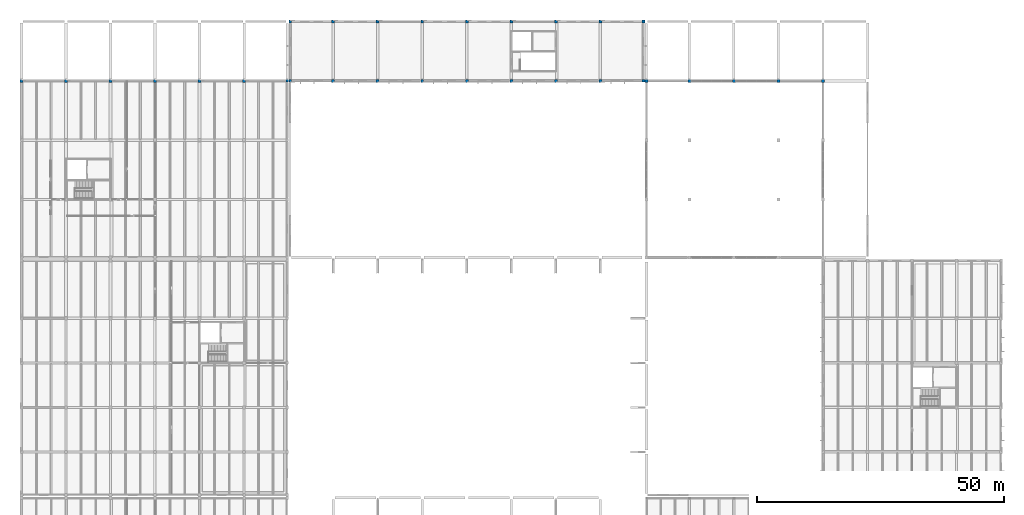
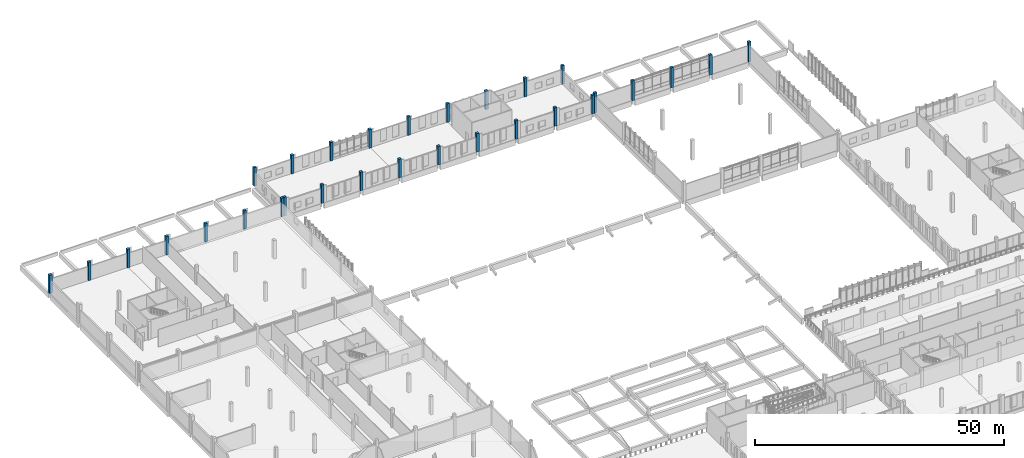
# One storey, part 5 of 63: 30 columns.
"""IFC4 building model written with IfcOpenShell, lengths in metres."""

from ifc_helpers import new_model, si_unit, direction, frame, origin, origin_2d, place, context, subcontext, project, spatial, rectangle, extrude, material, material_profile, profile_set, type_object, element, save


model = new_model("IFC4")

# Units and contexts
model_context = context("Model", 3, precision=1e-05, world=origin(), true_north=direction((0.0, 1.0)))
body_context = subcontext(model_context, "Body", "Model", "MODEL_VIEW")
ifc_project = project(units=[si_unit("LENGTHUNIT", "METRE"), si_unit("AREAUNIT", "SQUARE_METRE"), si_unit("VOLUMEUNIT", "CUBIC_METRE"), si_unit("PLANEANGLEUNIT", "RADIAN"), si_unit("MASSUNIT", "GRAM", prefix="KILO")], contexts=[model_context])

# Site, building, storey
site_placement = place(None, origin())
site = spatial("IfcSite", under=ifc_project, at=site_placement, CompositionType="ELEMENT")
building_placement = place(site_placement, origin())
building = spatial("IfcBuilding", under=site, at=building_placement, Name="Zacnel Wholesale Market", CompositionType="ELEMENT")
storey_placement = place(building_placement, frame((0.0, 0.0, 11.199951171875)))
storey = spatial("IfcBuildingStorey", under=building, at=storey_placement, Name="L03", CompositionType="ELEMENT", Elevation=11.199951171875)

# Columns
ifc_material_1 = material(Name="Precast concrete C45/55", Category="concrete")
ifc_material_profile_1 = material_profile(ifc_material_1, rectangle(XDim=0.550048828125, YDim=0.550048828125, at=origin_2d()), Name="PC 550x550")
ifc_profile_set_1 = profile_set([ifc_material_profile_1], Name="Precast concrete C45/55")
column_type_1 = type_object("IfcColumnType", Name="COL-PC550", PredefinedType="COLUMN", material=ifc_profile_set_1)
for number, where, z_axis, x_axis, name in (
    (1, (71.699951171875, 132.0, 0.0), (0.0, 0.0, 1.0), (1.0, 0.0, 0.0), "Precast column L03-0743"),
    (2, (72.300048828125, 132.0, 0.0), (0.0, 0.0, 1.0), (1.0, 0.0, 0.0), "Precast column L03-0744"),
    (3, (72.300048828125, 144.0, 0.0), (0.0, 0.0, 1.0), (1.0, 0.0, 0.0), "Precast column L03-0745"),
    (4, (143.699951171875, 132.0, 0.0), (0.0, 0.0, 1.0), (1.0, 0.0, 0.0), "Precast column L03-0760"),
    (5, (143.699951171875, 144.0, 0.0), (0.0, 0.0, 1.0), (1.0, 0.0, 0.0), "Precast column L03-0761"),
):
    element("IfcColumn", number, at=place(storey_placement, frame(where, z_axis=z_axis, x_axis=x_axis)), inside=storey, type_object=column_type_1, Name=name, PredefinedType="COLUMN", context=body_context, shape_type="SweptSolid", body=[
        extrude(rectangle(XDim=0.550048828125, YDim=0.550048828125, at=origin_2d()), origin(), (0.0, 0.0, 1.0), 4.550048828125),
    ])
ifc_material_2 = material(Name="Precast concrete C45/55", Category="concrete")
ifc_material_profile_2 = material_profile(ifc_material_2, rectangle(XDim=0.60009765625, YDim=0.60009765625, at=origin_2d()), Name="PC 600x600")
ifc_profile_set_2 = profile_set([ifc_material_profile_2], Name="Precast concrete C45/55")
column_type_2 = type_object("IfcColumnType", Name="COL-PC600", PredefinedType="COLUMN", material=ifc_profile_set_2)
for number, where, z_axis, x_axis, name in (
    (6, (18.0, 132.0, 0.0), (0.0, 0.0, 1.0), (1.0, 0.0, 0.0), "Precast column L03-0659"),
    (7, (27.0, 132.0, 0.0), (0.0, 0.0, 1.0), (1.0, 0.0, 0.0), "Precast column L03-0673"),
    (8, (36.0, 132.0, 0.0), (0.0, 0.0, 1.0), (1.0, 0.0, 0.0), "Precast column L03-0687"),
    (9, (45.0, 132.0, 0.0), (0.0, 0.0, 1.0), (1.0, 0.0, 0.0), "Precast column L03-0701"),
    (10, (54.0, 132.0, 0.0), (0.0, 0.0, 1.0), (1.0, 0.0, 0.0), "Precast column L03-0715"),
    (11, (63.0, 132.0, 0.0), (0.0, 0.0, 1.0), (1.0, 0.0, 0.0), "Precast column L03-0729"),
    (12, (81.0, 132.0, 0.0), (0.0, 0.0, 1.0), (1.0, 0.0, 0.0), "Precast column L03-0746"),
    (13, (81.0, 144.0, 0.0), (0.0, 0.0, 1.0), (1.0, 0.0, 0.0), "Precast column L03-0747"),
    (14, (90.0, 132.0, 0.0), (0.0, 0.0, 1.0), (1.0, 0.0, 0.0), "Precast column L03-0748"),
    (15, (90.0, 144.0, 0.0), (0.0, 0.0, 1.0), (1.0, 0.0, 0.0), "Precast column L03-0749"),
    (16, (99.0, 132.0, 0.0), (0.0, 0.0, 1.0), (1.0, 0.0, 0.0), "Precast column L03-0750"),
    (17, (99.0, 144.0, 0.0), (0.0, 0.0, 1.0), (1.0, 0.0, 0.0), "Precast column L03-0751"),
    (18, (108.0, 132.0, 0.0), (0.0, 0.0, 1.0), (1.0, 0.0, 0.0), "Precast column L03-0752"),
    (19, (108.0, 144.0, 0.0), (0.0, 0.0, 1.0), (1.0, 0.0, 0.0), "Precast column L03-0753"),
    (20, (117.0, 132.0, 0.0), (0.0, 0.0, 1.0), (1.0, 0.0, 0.0), "Precast column L03-0754"),
    (21, (117.0, 144.0, 0.0), (0.0, 0.0, 1.0), (1.0, 0.0, 0.0), "Precast column L03-0755"),
    (22, (126.0, 132.0, 0.0), (0.0, 0.0, 1.0), (1.0, 0.0, 0.0), "Precast column L03-0756"),
    (23, (126.0, 144.0, 0.0), (0.0, 0.0, 1.0), (1.0, 0.0, 0.0), "Precast column L03-0757"),
    (24, (135.0, 132.0, 0.0), (0.0, 0.0, 1.0), (1.0, 0.0, 0.0), "Precast column L03-0758"),
    (25, (135.0, 144.0, 0.0), (0.0, 0.0, 1.0), (1.0, 0.0, 0.0), "Precast column L03-0759"),
):
    element("IfcColumn", number, at=place(storey_placement, frame(where, z_axis=z_axis, x_axis=x_axis)), inside=storey, type_object=column_type_2, Name=name, PredefinedType="COLUMN", context=body_context, shape_type="SweptSolid", body=[
        extrude(rectangle(XDim=0.60009765625, YDim=0.60009765625, at=origin_2d()), origin(), (0.0, 0.0, 1.0), 4.550048828125),
    ])
for number, where, z_axis, x_axis, name in (
    (26, (144.300048828125, 132.0, 0.0), (0.0, 0.0, 1.0), (1.0, 0.0, 0.0), "Crossing drum perimeter column 02"),
    (27, (153.0, 132.0, 0.0), (0.0, 0.0, 1.0), (1.0, 0.0, 0.0), "Crossing drum perimeter column 04"),
    (28, (162.0, 132.0, 0.0), (0.0, 0.0, 1.0), (1.0, 0.0, 0.0), "Crossing drum perimeter column 06"),
    (29, (171.0, 132.0, 0.0), (0.0, 0.0, 1.0), (1.0, 0.0, 0.0), "Crossing drum perimeter column 08"),
    (30, (180.0, 132.0, 0.0), (0.0, 0.0, 1.0), (1.0, 0.0, 0.0), "Crossing drum perimeter column 10"),
):
    element("IfcColumn", number, at=place(storey_placement, frame(where, z_axis=z_axis, x_axis=x_axis)), inside=storey, type_object=column_type_2, Name=name, PredefinedType="COLUMN", context=body_context, shape_type="SweptSolid", body=[
        extrude(rectangle(XDim=0.60009765625, YDim=0.60009765625, at=origin_2d()), origin(), (0.0, 0.0, 1.0), 4.900146484375),
    ])

save(model, "model.ifc")
